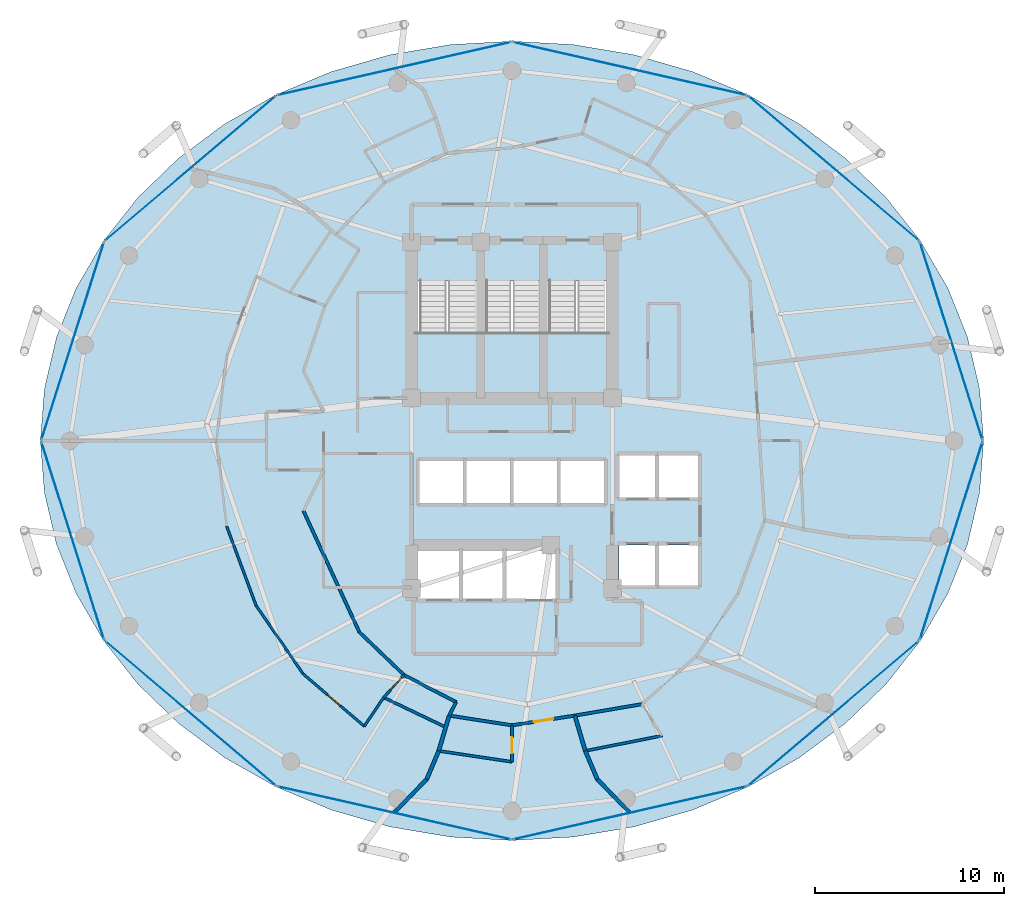
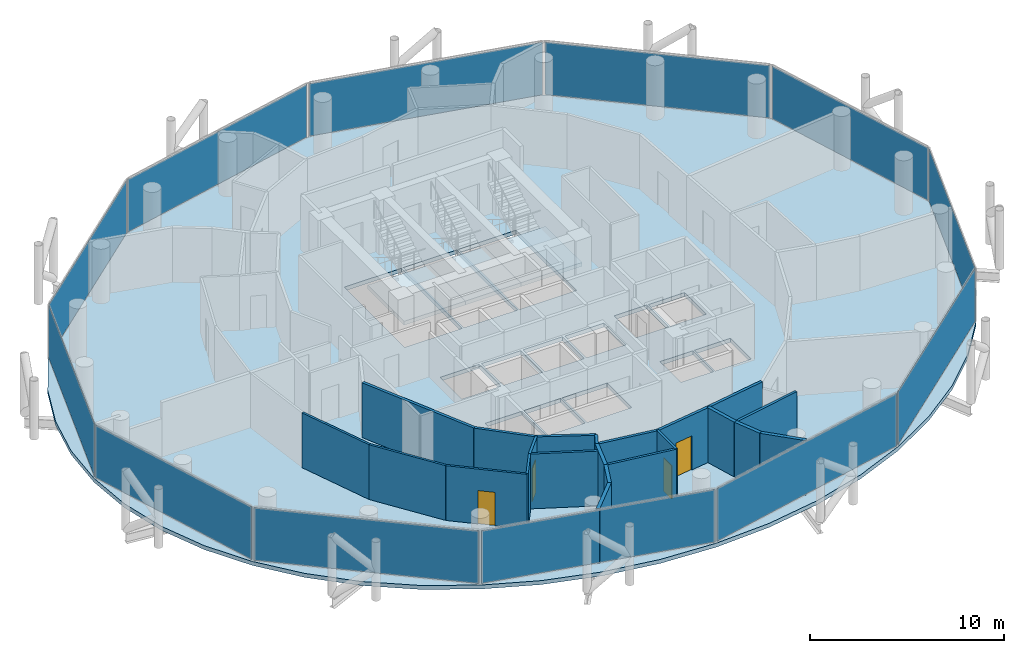
# One storey, part 21 of 26: 22 walls, 12 plates, 4 doors, 4 slabs, 4 openings, 15 elements without a shape of their own.
"""IFC4 building model written with IfcOpenShell, lengths in metres."""

from ifc_helpers import new_model, si_unit, direction, frame, frame_2d, origin, origin_2d, place, context, subcontext, project, spatial, polyline, rectangle, outline, extrude, material, layer, layer_set, type_object, element, fill, aggregate, save


model = new_model("IFC4")

# Units and contexts
model_context = context("Model", 3, precision=1e-05, world=origin(), true_north=direction((0.0, 1.0)))
body_context = subcontext(model_context, "Body", "Model", "MODEL_VIEW")
ifc_project = project(units=[si_unit("LENGTHUNIT", "METRE"), si_unit("AREAUNIT", "SQUARE_METRE"), si_unit("VOLUMEUNIT", "CUBIC_METRE"), si_unit("PLANEANGLEUNIT", "RADIAN"), si_unit("MASSUNIT", "GRAM", prefix="KILO")], contexts=[model_context])

# Site, building, storey
site_placement = place(None, origin())
site = spatial("IfcSite", under=ifc_project, at=site_placement, CompositionType="ELEMENT")
building_placement = place(site_placement, origin())
building = spatial("IfcBuilding", under=site, at=building_placement, Name="Nuhasar Tower", CompositionType="ELEMENT")
storey_placement = place(building_placement, frame((0.0, 0.0, 125.64990234375)))
storey = spatial("IfcBuildingStorey", under=building, at=storey_placement, Name="L29", CompositionType="ELEMENT", Elevation=125.64990234375)

# Curtain wall, plate
ifc_material_1 = material(Name="Aluminium 6063-T6", Category="aluminium")
ifc_layer_1 = layer(ifc_material_1, 0.199951171875)
ifc_layer_set_1 = layer_set([ifc_layer_1], Name="Aluminium 6063-T6")
curtain_wall_type = type_object("IfcCurtainWallType", Name="CW-Z2-HTL", PredefinedType="NOTDEFINED", material=ifc_layer_set_1)
curtain_wall_1_placement = place(storey_placement, origin())
curtain_wall_1 = element("IfcCurtainWall", 1, at=curtain_wall_1_placement, inside=storey, type_object=curtain_wall_type, Name="L29 Unitised Curtain Wall 01", PredefinedType="NOTDEFINED")
ifc_material_2 = material(Name="Glass Double Low-E", Category="glass")
ifc_layer_2 = layer(ifc_material_2, 0.028076171875)
ifc_layer_set_2 = layer_set([ifc_layer_2], Name="Glass Double Low-E")
plate_type = type_object("IfcPlateType", Name="CW-PANEL-GLZ", PredefinedType="CURTAIN_PANEL", material=ifc_layer_set_2)
plate_1_placement = place(storey_placement, frame((62.194580078125, 32.06494140625, 0.070068359375), z_axis=(0.0, 0.0, 1.0), x_axis=(-0.301603667577, 0.953433389233, 0.0)))
plate_1 = element("IfcPlate", 2, at=plate_1_placement, type_object=plate_type, Name="CW-Z2 panel 1.1", PredefinedType="CURTAIN_PANEL", context=body_context, shape_type="SweptSolid", body=[
    extrude(rectangle(XDim=10.904296875, YDim=0.028076171875, at=origin_2d()), origin(), (0.0, 0.0, 1.0), 3.31005859375),
])
aggregate(curtain_wall_1, [plate_1])

curtain_wall_2_placement = place(storey_placement, origin())
curtain_wall_2 = element("IfcCurtainWall", 3, at=curtain_wall_2_placement, inside=storey, type_object=curtain_wall_type, Name="L29 Unitised Curtain Wall 02", PredefinedType="NOTDEFINED")
plate_2_placement = place(storey_placement, frame((55.9794921875, 41.18408203125, 0.070068359375), z_axis=(0.0, 0.0, 1.0), x_axis=(-0.763020370292, 0.646374438324, 0.0)))
plate_2 = element("IfcPlate", 4, at=plate_2_placement, type_object=plate_type, Name="CW-Z2 panel 1.1", PredefinedType="CURTAIN_PANEL", context=body_context, shape_type="SweptSolid", body=[
    extrude(rectangle(XDim=11.784912109375, YDim=0.028076171875, at=origin_2d()), origin(), (0.0, 0.0, 1.0), 3.31005859375),
])
aggregate(curtain_wall_2, [plate_2])

curtain_wall_3_placement = place(storey_placement, origin())
curtain_wall_3 = element("IfcCurtainWall", 5, at=curtain_wall_3_placement, inside=storey, type_object=curtain_wall_type, Name="L29 Unitised Curtain Wall 03", PredefinedType="NOTDEFINED")
plate_3_placement = place(storey_placement, frame((45.215087890625, 46.448974609375, 0.070068359375), z_axis=(0.0, 0.0, 1.0), x_axis=(-0.975183694221, 0.22139729566, 0.0)))
plate_3 = element("IfcPlate", 6, at=plate_3_placement, type_object=plate_type, Name="CW-Z2 panel 1.1", PredefinedType="CURTAIN_PANEL", context=body_context, shape_type="SweptSolid", body=[
    extrude(rectangle(XDim=12.606201171875, YDim=0.028076171875, at=origin_2d()), origin(), (0.0, 0.0, 1.0), 3.31005859375),
])
aggregate(curtain_wall_3, [plate_3])

curtain_wall_4_placement = place(storey_placement, origin())
curtain_wall_4 = element("IfcCurtainWall", 7, at=curtain_wall_4_placement, inside=storey, type_object=curtain_wall_type, Name="L29 Unitised Curtain Wall 04", PredefinedType="NOTDEFINED")
plate_4_placement = place(storey_placement, frame((32.784912109375, 46.448974609375, 0.070068359375), z_axis=(0.0, 0.0, 1.0), x_axis=(-0.975183694221, -0.22139729566, 0.0)))
plate_4 = element("IfcPlate", 8, at=plate_4_placement, type_object=plate_type, Name="CW-Z2 panel 1.1", PredefinedType="CURTAIN_PANEL", context=body_context, shape_type="SweptSolid", body=[
    extrude(rectangle(XDim=12.606201171875, YDim=0.028076171875, at=origin_2d()), origin(), (0.0, 0.0, 1.0), 3.31005859375),
])
aggregate(curtain_wall_4, [plate_4])

curtain_wall_5_placement = place(storey_placement, origin())
curtain_wall_5 = element("IfcCurtainWall", 9, at=curtain_wall_5_placement, inside=storey, type_object=curtain_wall_type, Name="L29 Unitised Curtain Wall 05", PredefinedType="NOTDEFINED")
plate_5_placement = place(storey_placement, frame((22.0205078125, 41.18408203125, 0.070068359375), z_axis=(0.0, 0.0, 1.0), x_axis=(-0.763020370292, -0.646374438324, 0.0)))
plate_5 = element("IfcPlate", 10, at=plate_5_placement, type_object=plate_type, Name="CW-Z2 panel 1.1", PredefinedType="CURTAIN_PANEL", context=body_context, shape_type="SweptSolid", body=[
    extrude(rectangle(XDim=11.784912109375, YDim=0.028076171875, at=origin_2d()), origin(), (0.0, 0.0, 1.0), 3.31005859375),
])
aggregate(curtain_wall_5, [plate_5])

curtain_wall_6_placement = place(storey_placement, origin())
curtain_wall_6 = element("IfcCurtainWall", 11, at=curtain_wall_6_placement, inside=storey, type_object=curtain_wall_type, Name="L29 Unitised Curtain Wall 06", PredefinedType="NOTDEFINED")
plate_6_placement = place(storey_placement, frame((15.805419921875, 32.06494140625, 0.070068359375), z_axis=(0.0, 0.0, 1.0), x_axis=(-0.301603667577, -0.953433389233, 0.0)))
plate_6 = element("IfcPlate", 12, at=plate_6_placement, type_object=plate_type, Name="CW-Z2 panel 1.1", PredefinedType="CURTAIN_PANEL", context=body_context, shape_type="SweptSolid", body=[
    extrude(rectangle(XDim=10.904296875, YDim=0.028076171875, at=origin_2d()), origin(), (0.0, 0.0, 1.0), 3.31005859375),
])
aggregate(curtain_wall_6, [plate_6])

curtain_wall_7_placement = place(storey_placement, origin())
curtain_wall_7 = element("IfcCurtainWall", 13, at=curtain_wall_7_placement, inside=storey, type_object=curtain_wall_type, Name="L29 Unitised Curtain Wall 07", PredefinedType="NOTDEFINED")
plate_7_placement = place(storey_placement, frame((15.805419921875, 21.534912109375, 0.070068359375), z_axis=(0.0, 0.0, 1.0), x_axis=(0.301603667577, -0.953433389233, 0.0)))
plate_7 = element("IfcPlate", 14, at=plate_7_placement, type_object=plate_type, Name="CW-Z2 panel 1.1", PredefinedType="CURTAIN_PANEL", context=body_context, shape_type="SweptSolid", body=[
    extrude(rectangle(XDim=10.904296875, YDim=0.028076171875, at=origin_2d()), origin(), (0.0, 0.0, 1.0), 3.31005859375),
])
aggregate(curtain_wall_7, [plate_7])

curtain_wall_8_placement = place(storey_placement, origin())
curtain_wall_8 = element("IfcCurtainWall", 15, at=curtain_wall_8_placement, inside=storey, type_object=curtain_wall_type, Name="L29 Unitised Curtain Wall 08", PredefinedType="NOTDEFINED")
plate_8_placement = place(storey_placement, frame((22.0205078125, 12.416015625, 0.070068359375), z_axis=(0.0, 0.0, 1.0), x_axis=(0.763020370292, -0.646374438324, 0.0)))
plate_8 = element("IfcPlate", 16, at=plate_8_placement, type_object=plate_type, Name="CW-Z2 panel 1.1", PredefinedType="CURTAIN_PANEL", context=body_context, shape_type="SweptSolid", body=[
    extrude(rectangle(XDim=11.784912109375, YDim=0.028076171875, at=origin_2d()), origin(), (0.0, 0.0, 1.0), 3.31005859375),
])
aggregate(curtain_wall_8, [plate_8])

curtain_wall_9_placement = place(storey_placement, origin())
curtain_wall_9 = element("IfcCurtainWall", 17, at=curtain_wall_9_placement, inside=storey, type_object=curtain_wall_type, Name="L29 Unitised Curtain Wall 09", PredefinedType="NOTDEFINED")
plate_9_placement = place(storey_placement, frame((32.784912109375, 7.15087890625, 0.070068359375), z_axis=(0.0, 0.0, 1.0), x_axis=(0.975183694221, -0.22139729566, 0.0)))
plate_9 = element("IfcPlate", 18, at=plate_9_placement, type_object=plate_type, Name="CW-Z2 panel 1.1", PredefinedType="CURTAIN_PANEL", context=body_context, shape_type="SweptSolid", body=[
    extrude(rectangle(XDim=12.606201171875, YDim=0.028076171875, at=origin_2d()), origin(), (0.0, 0.0, 1.0), 3.31005859375),
])
aggregate(curtain_wall_9, [plate_9])

curtain_wall_10_placement = place(storey_placement, origin())
curtain_wall_10 = element("IfcCurtainWall", 19, at=curtain_wall_10_placement, inside=storey, type_object=curtain_wall_type, Name="L29 Unitised Curtain Wall 10", PredefinedType="NOTDEFINED")
plate_10_placement = place(storey_placement, frame((45.215087890625, 7.15087890625, 0.070068359375), z_axis=(0.0, 0.0, 1.0), x_axis=(0.975183694221, 0.22139729566, 0.0)))
plate_10 = element("IfcPlate", 20, at=plate_10_placement, type_object=plate_type, Name="CW-Z2 panel 1.1", PredefinedType="CURTAIN_PANEL", context=body_context, shape_type="SweptSolid", body=[
    extrude(rectangle(XDim=12.606201171875, YDim=0.028076171875, at=origin_2d()), origin(), (0.0, 0.0, 1.0), 3.31005859375),
])
aggregate(curtain_wall_10, [plate_10])

curtain_wall_11_placement = place(storey_placement, origin())
curtain_wall_11 = element("IfcCurtainWall", 21, at=curtain_wall_11_placement, inside=storey, type_object=curtain_wall_type, Name="L29 Unitised Curtain Wall 11", PredefinedType="NOTDEFINED")
plate_11_placement = place(storey_placement, frame((55.9794921875, 12.416015625, 0.070068359375), z_axis=(0.0, 0.0, 1.0), x_axis=(0.763020370292, 0.646374438324, 0.0)))
plate_11 = element("IfcPlate", 22, at=plate_11_placement, type_object=plate_type, Name="CW-Z2 panel 1.1", PredefinedType="CURTAIN_PANEL", context=body_context, shape_type="SweptSolid", body=[
    extrude(rectangle(XDim=11.784912109375, YDim=0.028076171875, at=origin_2d()), origin(), (0.0, 0.0, 1.0), 3.31005859375),
])
aggregate(curtain_wall_11, [plate_11])

curtain_wall_12_placement = place(storey_placement, origin())
curtain_wall_12 = element("IfcCurtainWall", 23, at=curtain_wall_12_placement, inside=storey, type_object=curtain_wall_type, Name="L29 Unitised Curtain Wall 12", PredefinedType="NOTDEFINED")
plate_12_placement = place(storey_placement, frame((62.194580078125, 21.534912109375, 0.070068359375), z_axis=(0.0, 0.0, 1.0), x_axis=(0.301603667577, 0.953433389233, 0.0)))
plate_12 = element("IfcPlate", 24, at=plate_12_placement, type_object=plate_type, Name="CW-Z2 panel 1.1", PredefinedType="CURTAIN_PANEL", context=body_context, shape_type="SweptSolid", body=[
    extrude(rectangle(XDim=10.904296875, YDim=0.028076171875, at=origin_2d()), origin(), (0.0, 0.0, 1.0), 3.31005859375),
])
aggregate(curtain_wall_12, [plate_12])

# Stair, slab
ifc_material_3 = material(Name="Concrete C45/55", Category="concrete")
stair_type_1 = type_object("IfcStairType", Name="STR-ST-01-2F-22R-1682", PredefinedType="HALF_TURN_STAIR", material=ifc_material_3)
stair_1_placement = place(storey_placement, origin())
stair_1 = element("IfcStair", 25, at=stair_1_placement, inside=storey, type_object=stair_type_1, Name="L29 Exit Stair ST-01", PredefinedType="HALF_TURN_STAIR")
ifc_layer_3 = layer(ifc_material_3, 0.239990234375)
ifc_layer_set_3 = layer_set([ifc_layer_3], Name="Concrete C45/55")
slab_type_1 = type_object("IfcSlabType", Name="SLB-STAIR-LND-240", PredefinedType="LANDING", material=ifc_layer_set_3)
slab_1_placement = place(storey_placement, frame((0.0, 0.0, 1.610107421875)))
slab_1 = element("IfcSlab", 26, at=slab_1_placement, type_object=slab_type_1, Name="ST-01 landing 1", PredefinedType="LANDING", context=body_context, shape_type="SweptSolid", body=[
    extrude(outline(polyline([(33.699951171875, 28.75), (37.35009765625, 28.75), (37.35009765625, 32.52001953125), (33.699951171875, 32.52001953125), (33.699951171875, 28.75)])), origin(), (0.0, 0.0, 1.0), 0.239990234375),
])
aggregate(stair_1, [slab_1])

stair_type_2 = type_object("IfcStairType", Name="STR-ST-03-2F-22R-1682", PredefinedType="HALF_TURN_STAIR", material=ifc_material_3)
stair_2_placement = place(storey_placement, origin())
stair_2 = element("IfcStair", 27, at=stair_2_placement, inside=storey, type_object=stair_type_2, Name="L29 Exit Stair ST-03", PredefinedType="HALF_TURN_STAIR")
slab_2_placement = place(storey_placement, frame((0.0, 0.0, 1.610107421875)))
slab_2 = element("IfcSlab", 28, at=slab_2_placement, type_object=slab_type_1, Name="ST-03 landing 1", PredefinedType="LANDING", context=body_context, shape_type="SweptSolid", body=[
    extrude(outline(polyline([(37.35009765625, 28.75), (40.64990234375, 28.75), (40.64990234375, 32.52001953125), (37.35009765625, 32.52001953125), (37.35009765625, 28.75)])), origin(), (0.0, 0.0, 1.0), 0.239990234375),
])
aggregate(stair_2, [slab_2])

stair_type_3 = type_object("IfcStairType", Name="STR-ST-02-2F-22R-1682", PredefinedType="HALF_TURN_STAIR", material=ifc_material_3)
stair_3_placement = place(storey_placement, origin())
stair_3 = element("IfcStair", 29, at=stair_3_placement, inside=storey, type_object=stair_type_3, Name="L29 Exit Stair ST-02", PredefinedType="HALF_TURN_STAIR")
slab_3_placement = place(storey_placement, frame((0.0, 0.0, 1.610107421875)))
slab_3 = element("IfcSlab", 30, at=slab_3_placement, type_object=slab_type_1, Name="ST-02 landing 1", PredefinedType="LANDING", context=body_context, shape_type="SweptSolid", body=[
    extrude(outline(polyline([(40.64990234375, 28.75), (44.300048828125, 28.75), (44.300048828125, 32.52001953125), (40.64990234375, 32.52001953125), (40.64990234375, 28.75)])), origin(), (0.0, 0.0, 1.0), 0.239990234375),
])
aggregate(stair_3, [slab_3])

# Slab
ifc_layer_4 = layer(ifc_material_3, 0.25)
ifc_layer_set_4 = layer_set([ifc_layer_4], Name="Concrete C45/55")
slab_type_2 = type_object("IfcSlabType", Name="SLB-Z1B-250", PredefinedType="FLOOR", material=ifc_layer_set_4)
slab_4_placement = place(storey_placement, frame((0.0, 0.0, -0.25)))
element("IfcSlab", 31, at=slab_4_placement, inside=storey, type_object=slab_type_2, Name="L29 Structural Slab", PredefinedType="FLOOR", context=body_context, shape_type="SweptSolid", body=[
    extrude(outline(polyline([(63.89990234375, 26.800048828125), (63.68701171875, 29.553955078125), (63.052001953125, 32.260986328125), (62.0048828125, 34.875), (60.56396484375, 37.35009765625), (58.75390625, 39.64501953125), (56.60693359375, 41.719970703125), (54.157958984375, 43.5400390625), (51.449951171875, 45.072998046875), (48.529052734375, 46.2939453125), (45.445068359375, 47.180908203125), (42.25, 47.718994140625), (39.0, 47.89990234375), (35.75, 47.718994140625), (32.554931640625, 47.180908203125), (29.470947265625, 46.2939453125), (26.550048828125, 45.072998046875), (23.842041015625, 43.5400390625), (21.39306640625, 41.719970703125), (19.24609375, 39.64501953125), (17.43603515625, 37.35009765625), (15.9951171875, 34.875), (14.947998046875, 32.260986328125), (14.31298828125, 29.553955078125), (14.10009765625, 26.800048828125), (14.31298828125, 24.0458984375), (14.947998046875, 21.339111328125), (15.9951171875, 18.72509765625), (17.43603515625, 16.25), (19.24609375, 13.955078125), (21.39306640625, 11.8798828125), (23.842041015625, 10.06005859375), (26.550048828125, 8.527099609375), (29.470947265625, 7.305908203125), (32.554931640625, 6.4189453125), (35.75, 5.881103515625), (39.0, 5.699951171875), (42.25, 5.881103515625), (45.445068359375, 6.4189453125), (48.529052734375, 7.305908203125), (51.449951171875, 8.527099609375), (54.157958984375, 10.06005859375), (56.60693359375, 11.8798828125), (58.75390625, 13.955078125), (60.56396484375, 16.25), (62.0048828125, 18.72509765625), (63.052001953125, 21.339111328125), (63.68701171875, 24.0458984375), (63.89990234375, 26.800048828125)]), holes=[polyline([(33.8798828125, 35.25), (37.300048828125, 35.25), (37.300048828125, 29.0), (33.8798828125, 29.0), (33.8798828125, 35.25)]), polyline([(37.39990234375, 35.25), (40.60009765625, 35.25), (40.60009765625, 29.0), (37.39990234375, 29.0), (37.39990234375, 35.25)]), polyline([(40.699951171875, 35.25), (44.1201171875, 35.25), (44.1201171875, 29.0), (40.699951171875, 29.0), (40.699951171875, 35.25)]), polyline([(44.64990234375, 26.050048828125), (46.60009765625, 26.050048828125), (46.60009765625, 23.800048828125), (44.64990234375, 23.800048828125), (44.64990234375, 26.050048828125)]), polyline([(46.699951171875, 26.050048828125), (48.85009765625, 26.050048828125), (48.85009765625, 23.800048828125), (46.699951171875, 23.800048828125), (46.699951171875, 26.050048828125)]), polyline([(44.64990234375, 21.300048828125), (46.60009765625, 21.300048828125), (46.60009765625, 19.14990234375), (44.64990234375, 19.14990234375), (44.64990234375, 21.300048828125)]), polyline([(46.699951171875, 21.300048828125), (48.85009765625, 21.300048828125), (48.85009765625, 19.14990234375), (46.699951171875, 19.14990234375), (46.699951171875, 21.300048828125)]), polyline([(34.10009765625, 25.75), (36.43994140625, 25.75), (36.43994140625, 23.5), (34.10009765625, 23.5), (34.10009765625, 25.75)]), polyline([(36.580078125, 25.75), (38.919921875, 25.75), (38.919921875, 23.5), (36.580078125, 23.5), (36.580078125, 25.75)]), polyline([(39.06005859375, 25.75), (41.39990234375, 25.75), (41.39990234375, 23.5), (39.06005859375, 23.5), (39.06005859375, 25.75)]), polyline([(41.5400390625, 25.75), (43.8798828125, 25.75), (43.8798828125, 23.5), (41.5400390625, 23.5), (41.5400390625, 25.75)]), polyline([(34.050048828125, 21.0), (36.25, 21.0), (36.25, 18.449951171875), (34.050048828125, 18.449951171875), (34.050048828125, 21.0)]), polyline([(36.35009765625, 21.0), (38.550048828125, 21.0), (38.550048828125, 18.449951171875), (36.35009765625, 18.449951171875), (36.35009765625, 21.0)]), polyline([(38.64990234375, 21.0), (41.320068359375, 21.0), (41.320068359375, 18.449951171875), (38.64990234375, 18.449951171875), (38.64990234375, 21.0)])]), origin(), (0.0, 0.0, 1.0), 0.25),
])

# Wall
ifc_material_4 = material(Name="Gypsum Board", Category="gypsum")
ifc_layer_5 = layer(ifc_material_4, 0.159912109375)
ifc_layer_set_5 = layer_set([ifc_layer_5], Name="Gypsum Board")
wall_type_1 = type_object("IfcWallType", Name="WL-CORR-160", PredefinedType="PARTITIONING", material=ifc_layer_set_5)
wall_1_placement = place(storey_placement, frame((35.681884765625, 12.2919921875, 0.0), z_axis=(0.0, 0.0, 1.0), x_axis=(0.988305190754, -0.152488851815, 0.0)))
element("IfcWall", 32, at=wall_1_placement, inside=storey, type_object=wall_type_1, Name="L29 Interior Partition CORR-34", PredefinedType="PARTITIONING", context=body_context, shape_type="SweptSolid", body=[
    extrude(rectangle(XDim=3.357421875, YDim=0.159912109375, at=frame_2d((1.6787109375, 0.0))), origin(), (0.0, 0.0, 1.0), 3.4501953125),
])

# Wall, opening, door
wall_2_placement = place(storey_placement, frame((42.318115234375, 12.2919921875, 0.0), z_axis=(0.0, 0.0, 1.0), x_axis=(-0.988305190754, -0.152488851815, 0.0)))
wall_2 = element("IfcWall", 33, at=wall_2_placement, inside=storey, type_object=wall_type_1, Name="L29 Interior Partition CORR-36", PredefinedType="PARTITIONING", context=body_context, shape_type="SweptSolid", body=[
    extrude(rectangle(XDim=3.357421875, YDim=0.159912109375, at=frame_2d((1.6787109375, 0.0))), origin(), (0.0, 0.0, 1.0), 3.4501953125),
])
opening_1_placement = place(wall_2_placement, frame((1.154052734375, 0.0, 0.0)))
opening_1 = element("IfcOpeningElement", 34, at=opening_1_placement, cuts=wall_2, Name="Opening DU-01", PredefinedType="OPENING", context=body_context, shape_type="SweptSolid", body=[
    extrude(rectangle(XDim=1.050048828125, YDim=2.14990234375, at=frame_2d((0.52490234375, 1.074951171875))), frame((0.0, 0.08984375, 0.0), z_axis=(0.0, -1.0, 0.0), x_axis=(1.0, 0.0, 0.0)), (0.0, 0.0, 1.0), 0.179931640625),
])
ifc_material_5 = material(Name="Timber Oak", Category="wood")
door_type_1 = type_object("IfcDoorType", Name="DR-SUITE-FD60-1050", OperationType="NOTDEFINED", PredefinedType="DOOR", material=ifc_material_5)
door_1_placement = place(opening_1_placement, origin())
door_1 = element("IfcDoor", 35, at=door_1_placement, inside=storey, type_object=door_type_1, Name="L29 Deluxe Junior Suite 01 Entrance Door", OperationType="SINGLE_SWING_LEFT", OverallHeight=2.14990234375, OverallWidth=1.050048828125, PredefinedType="DOOR", context=body_context, shape_type="SweptSolid", body=[
    extrude(rectangle(XDim=1.050048828125, YDim=2.14990234375, at=frame_2d((0.52490234375, 1.074951171875))), frame((0.0, 0.02490234375, 0.0), z_axis=(0.0, -1.0, 0.0), x_axis=(1.0, 0.0, 0.0)), (0.0, 0.0, 1.0), 0.050048828125),
])
fill(opening_1, door_1)

# Walls
wall_3_placement = place(storey_placement, frame((42.318115234375, 12.2919921875, 0.0), z_axis=(0.0, 0.0, 1.0), x_axis=(0.985751576779, 0.168207695658, 0.0)))
element("IfcWall", 36, at=wall_3_placement, inside=storey, type_object=wall_type_1, Name="L29 Interior Partition CORR-38", PredefinedType="PARTITIONING", context=body_context, shape_type="SweptSolid", body=[
    extrude(rectangle(XDim=3.5849609375, YDim=0.159912109375, at=frame_2d((1.79248046875, 0.0))), origin(), (0.0, 0.0, 1.0), 3.4501953125),
])
wall_4_placement = place(storey_placement, frame((36.049072265625, 13.007080078125, 0.0), z_axis=(0.0, 0.0, 1.0), x_axis=(-0.456785198059, -0.889577024678, 0.0)))
element("IfcWall", 37, at=wall_4_placement, inside=storey, type_object=wall_type_1, Name="L29 Interior Partition HRAD-34-IN", PredefinedType="PARTITIONING", context=body_context, shape_type="SweptSolid", body=[
    extrude(rectangle(XDim=0.803955078125, YDim=0.159912109375, at=frame_2d((0.40185546875, 0.0))), origin(), (0.0, 0.0, 1.0), 3.4501953125),
])
wall_5_placement = place(storey_placement, frame((27.988037109375, 23.10400390625, 0.0), z_axis=(0.0, 0.0, 1.0), x_axis=(0.418656179426, -0.908144814128, 0.0)))
element("IfcWall", 38, at=wall_5_placement, inside=storey, type_object=wall_type_1, Name="L29 Interior Partition HWEST-CORE-S1-26", PredefinedType="PARTITIONING", context=body_context, shape_type="SweptSolid", body=[
    extrude(rectangle(XDim=7.048583984375, YDim=0.159912109375, at=frame_2d((3.5244140625, 0.0))), origin(), (0.0, 0.0, 1.0), 3.4501953125),
])
wall_6_placement = place(storey_placement, frame((30.93896484375, 16.702880859375, 0.0), z_axis=(0.0, 0.0, 1.0), x_axis=(0.72090897908, -0.693029756851, 0.0)))
element("IfcWall", 39, at=wall_6_placement, inside=storey, type_object=wall_type_1, Name="L29 Interior Partition HWEST-CORE-S2-30", PredefinedType="PARTITIONING", context=body_context, shape_type="SweptSolid", body=[
    extrude(rectangle(XDim=3.275146484375, YDim=0.159912109375, at=frame_2d((1.6376953125, 0.0))), origin(), (0.0, 0.0, 1.0), 3.4501953125),
])
wall_7_placement = place(storey_placement, frame((33.300048828125, 14.43310546875, 0.0), z_axis=(0.0, 0.0, 1.0), x_axis=(0.887674575788, -0.460471331898, 0.0)))
element("IfcWall", 40, at=wall_7_placement, inside=storey, type_object=wall_type_1, Name="L29 Interior Partition HWEST-CORE-S2-32", PredefinedType="PARTITIONING", context=body_context, shape_type="SweptSolid", body=[
    extrude(rectangle(XDim=3.096923828125, YDim=0.159912109375, at=frame_2d((1.54833984375, 0.0))), origin(), (0.0, 0.0, 1.0), 3.4501953125),
])
ifc_layer_6 = layer(ifc_material_4, 0.125)
ifc_layer_set_6 = layer_set([ifc_layer_6], Name="Gypsum Board")
wall_type_2 = type_object("IfcWallType", Name="WL-PART-125", PredefinedType="PARTITIONING", material=ifc_layer_set_6)
wall_8_placement = place(storey_placement, frame((32.22509765625, 13.2470703125, 0.0), z_axis=(0.0, 0.0, 1.0), x_axis=(-0.560137086464, -0.828399930207, 0.0)))
element("IfcWall", 41, at=wall_8_placement, inside=storey, type_object=wall_type_2, Name="L29 Interior Partition HWS2-N", PredefinedType="PARTITIONING", context=body_context, shape_type="SweptSolid", body=[
    extrude(rectangle(XDim=1.830078125, YDim=0.125, at=frame_2d((0.9150390625, 0.0))), origin(), (0.0, 0.0, 1.0), 3.4501953125),
])
wall_9_placement = place(storey_placement, frame((23.931884765625, 22.297119140625, 0.0), z_axis=(0.0, 0.0, 1.0), x_axis=(0.348031805078, -0.93748272659, 0.0)))
element("IfcWall", 42, at=wall_9_placement, inside=storey, type_object=wall_type_2, Name="L29 Interior Partition HWS2-ARC-26", PredefinedType="PARTITIONING", context=body_context, shape_type="SweptSolid", body=[
    extrude(rectangle(XDim=4.476806640625, YDim=0.125, at=frame_2d((2.23828125, 0.0))), origin(), (0.0, 0.0, 1.0), 3.4501953125),
])
wall_10_placement = place(storey_placement, frame((25.489990234375, 18.10009765625, 0.0), z_axis=(0.0, 0.0, 1.0), x_axis=(0.566723041571, -0.823908365143, 0.0)))
element("IfcWall", 43, at=wall_10_placement, inside=storey, type_object=wall_type_2, Name="L29 Interior Partition HWS2-ARC-28", PredefinedType="PARTITIONING", context=body_context, shape_type="SweptSolid", body=[
    extrude(rectangle(XDim=4.374267578125, YDim=0.125, at=frame_2d((2.18701171875, 0.0))), origin(), (0.0, 0.0, 1.0), 3.4501953125),
])

# Wall, opening, door
wall_11_placement = place(storey_placement, frame((27.968994140625, 14.49609375, 0.0), z_axis=(0.0, 0.0, 1.0), x_axis=(0.759750776123, -0.650214394013, 0.0)))
wall_11 = element("IfcWall", 44, at=wall_11_placement, inside=storey, type_object=wall_type_2, Name="L29 Interior Partition HWS2-ARC-30", PredefinedType="PARTITIONING", context=body_context, shape_type="SweptSolid", body=[
    extrude(rectangle(XDim=4.252685546875, YDim=0.125, at=frame_2d((2.12646484375, 0.0))), origin(), (0.0, 0.0, 1.0), 3.4501953125),
])
opening_2_placement = place(wall_11_placement, frame((1.676025390625, 0.0, 0.0)))
opening_2 = element("IfcOpeningElement", 45, at=opening_2_placement, cuts=wall_11, Name="Opening DR-01", PredefinedType="OPENING", context=body_context, shape_type="SweptSolid", body=[
    extrude(rectangle(XDim=0.89990234375, YDim=2.10009765625, at=frame_2d((0.449951171875, 1.050048828125))), frame((0.0, 0.072509765625, 0.0), z_axis=(0.0, -1.0, 0.0), x_axis=(1.0, 0.0, 0.0)), (0.0, 0.0, 1.0), 0.14501953125),
])
door_type_2 = type_object("IfcDoorType", Name="DR-ROOM-900", OperationType="NOTDEFINED", PredefinedType="DOOR", material=ifc_material_5)
door_2_placement = place(opening_2_placement, origin())
door_2 = element("IfcDoor", 46, at=door_2_placement, inside=storey, type_object=door_type_2, Name="L29 South-West Presidential Suite Bedroom Door", OperationType="SINGLE_SWING_LEFT", OverallHeight=2.10009765625, OverallWidth=0.89990234375, PredefinedType="DOOR", context=body_context, shape_type="SweptSolid", body=[
    extrude(rectangle(XDim=0.89990234375, YDim=2.10009765625, at=frame_2d((0.449951171875, 1.050048828125))), frame((0.0, 0.02490234375, 0.0), z_axis=(0.0, -1.0, 0.0), x_axis=(1.0, 0.0, 0.0)), (0.0, 0.0, 1.0), 0.050048828125),
])
fill(opening_2, door_2)

# Walls
ifc_material_6 = material(Name="Concrete C40/50 precast", Category="concrete")
ifc_layer_7 = layer(ifc_material_6, 0.199951171875)
ifc_layer_set_7 = layer_set([ifc_layer_7], Name="Concrete C40/50 precast")
wall_type_3 = type_object("IfcWallType", Name="WL-UNIT-200", PredefinedType="PARTITIONING", material=ifc_layer_set_7)
wall_12_placement = place(storey_placement, frame((35.681884765625, 12.2919921875, 0.0), z_axis=(0.0, 0.0, 1.0), x_axis=(-0.283369770593, -0.959010726277, 0.0)))
element("IfcWall", 47, at=wall_12_placement, inside=storey, type_object=wall_type_3, Name="L29 Interior Partition HRAD-34-OUT-S1", PredefinedType="PARTITIONING", context=body_context, shape_type="SweptSolid", body=[
    extrude(rectangle(XDim=1.943603515625, YDim=0.199951171875, at=frame_2d((0.9716796875, 0.0))), origin(), (0.0, 0.0, 1.0), 3.4501953125),
])
wall_13_placement = place(storey_placement, frame((35.131103515625, 10.427978515625, 0.0), z_axis=(0.0, 0.0, 1.0), x_axis=(-0.389767285182, -0.920913385396, 0.0)))
element("IfcWall", 48, at=wall_13_placement, inside=storey, type_object=wall_type_3, Name="L29 Interior Partition HRAD-34-OUT-S2", PredefinedType="PARTITIONING", context=body_context, shape_type="SweptSolid", body=[
    extrude(rectangle(XDim=1.626708984375, YDim=0.199951171875, at=frame_2d((0.8134765625, 0.0))), origin(), (0.0, 0.0, 1.0), 3.4501953125),
])
wall_14_placement = place(storey_placement, frame((34.4970703125, 8.929931640625, 0.0), z_axis=(0.0, 0.0, 1.0), x_axis=(-0.698293830776, -0.715811236221, 0.0)))
element("IfcWall", 49, at=wall_14_placement, inside=storey, type_object=wall_type_3, Name="L29 Interior Partition HRAD-34-OUT-S3", PredefinedType="PARTITIONING", context=body_context, shape_type="SweptSolid", body=[
    extrude(rectangle(XDim=2.43896484375, YDim=0.199951171875, at=frame_2d((1.219482421875, 0.0))), origin(), (0.0, 0.0, 1.0), 3.4501953125),
])
wall_15_placement = place(storey_placement, frame((42.318115234375, 12.2919921875, 0.0), z_axis=(0.0, 0.0, 1.0), x_axis=(0.283369770593, -0.959010726277, 0.0)))
element("IfcWall", 50, at=wall_15_placement, inside=storey, type_object=wall_type_3, Name="L29 Interior Partition HRAD-38-S1", PredefinedType="PARTITIONING", context=body_context, shape_type="SweptSolid", body=[
    extrude(rectangle(XDim=1.943603515625, YDim=0.199951171875, at=frame_2d((0.9716796875, 0.0))), origin(), (0.0, 0.0, 1.0), 3.4501953125),
])
wall_16_placement = place(storey_placement, frame((42.868896484375, 10.427978515625, 0.0), z_axis=(0.0, 0.0, 1.0), x_axis=(0.389767285182, -0.920913385396, 0.0)))
element("IfcWall", 51, at=wall_16_placement, inside=storey, type_object=wall_type_3, Name="L29 Interior Partition HRAD-38-S2", PredefinedType="PARTITIONING", context=body_context, shape_type="SweptSolid", body=[
    extrude(rectangle(XDim=1.626708984375, YDim=0.199951171875, at=frame_2d((0.8134765625, 0.0))), origin(), (0.0, 0.0, 1.0), 3.4501953125),
])
wall_17_placement = place(storey_placement, frame((43.5029296875, 8.929931640625, 0.0), z_axis=(0.0, 0.0, 1.0), x_axis=(0.698293830776, -0.715811236221, 0.0)))
element("IfcWall", 52, at=wall_17_placement, inside=storey, type_object=wall_type_3, Name="L29 Interior Partition HRAD-38-S3", PredefinedType="PARTITIONING", context=body_context, shape_type="SweptSolid", body=[
    extrude(rectangle(XDim=2.43896484375, YDim=0.199951171875, at=frame_2d((1.219482421875, 0.0))), origin(), (0.0, 0.0, 1.0), 3.4501953125),
])

# Wall, opening, door
ifc_layer_8 = layer(ifc_material_6, 0.139892578125)
ifc_layer_set_8 = layer_set([ifc_layer_8], Name="Concrete C40/50 precast")
wall_type_4 = type_object("IfcWallType", Name="WL-WET-140", PredefinedType="PARTITIONING", material=ifc_layer_set_8)
wall_18_placement = place(storey_placement, frame((39.0, 11.780029296875, 0.0), z_axis=(0.0, 0.0, 1.0), x_axis=(0.0, -1.0, 0.0)))
wall_18 = element("IfcWall", 53, at=wall_18_placement, inside=storey, type_object=wall_type_4, Name="L29 Interior Partition HBW-01", PredefinedType="PARTITIONING", context=body_context, shape_type="SweptSolid", body=[
    extrude(rectangle(XDim=1.929931640625, YDim=0.139892578125, at=frame_2d((0.96484375, 0.0))), origin(), (0.0, 0.0, 1.0), 3.4501953125),
])
opening_3_placement = place(wall_18_placement, frame((0.635986328125, 0.0, 0.0)))
opening_3 = element("IfcOpeningElement", 54, at=opening_3_placement, cuts=wall_18, Name="Opening DB-01", PredefinedType="OPENING", context=body_context, shape_type="SweptSolid", body=[
    extrude(rectangle(XDim=0.85009765625, YDim=2.10009765625, at=frame_2d((0.425048828125, 1.050048828125))), frame((0.0, 0.080078125, 0.0), z_axis=(0.0, -1.0, 0.0), x_axis=(1.0, 0.0, 0.0)), (0.0, 0.0, 1.0), 0.159912109375),
])
door_type_3 = type_object("IfcDoorType", Name="DR-BATH-850", OperationType="NOTDEFINED", PredefinedType="DOOR", material=ifc_material_5)
door_3_placement = place(opening_3_placement, origin())
door_3 = element("IfcDoor", 55, at=door_3_placement, inside=storey, type_object=door_type_3, Name="L29 Deluxe Junior Suite 01 En-Suite Door", OperationType="SINGLE_SWING_RIGHT", OverallHeight=2.10009765625, OverallWidth=0.85009765625, PredefinedType="DOOR", context=body_context, shape_type="SweptSolid", body=[
    extrude(rectangle(XDim=0.85009765625, YDim=2.10009765625, at=frame_2d((0.425048828125, 1.050048828125))), frame((0.0, 0.02490234375, 0.0), z_axis=(0.0, -1.0, 0.0), x_axis=(1.0, 0.0, 0.0)), (0.0, 0.0, 1.0), 0.050048828125),
])
fill(opening_3, door_3)

# Walls
wall_19_placement = place(storey_placement, frame((35.131103515625, 10.427978515625, 0.0), z_axis=(0.0, 0.0, 1.0), x_axis=(0.989028176976, -0.147726995324, 0.0)))
element("IfcWall", 56, at=wall_19_placement, inside=storey, type_object=wall_type_4, Name="L29 Interior Partition HBF-01-34", PredefinedType="PARTITIONING", context=body_context, shape_type="SweptSolid", body=[
    extrude(rectangle(XDim=3.911865234375, YDim=0.139892578125, at=frame_2d((1.9560546875, 0.0))), origin(), (0.0, 0.0, 1.0), 3.4501953125),
])
wall_20_placement = place(storey_placement, frame((42.868896484375, 10.427978515625, 0.0), z_axis=(0.0, 0.0, 1.0), x_axis=(0.9810430499, 0.193789922966, 0.0)))
element("IfcWall", 57, at=wall_20_placement, inside=storey, type_object=wall_type_4, Name="L29 Interior Partition HBF-02-38", PredefinedType="PARTITIONING", context=body_context, shape_type="SweptSolid", body=[
    extrude(rectangle(XDim=4.138427734375, YDim=0.139892578125, at=frame_2d((2.0693359375, 0.0))), origin(), (0.0, 0.0, 1.0), 3.4501953125),
])

# Wall, opening, door
wall_21_placement = place(storey_placement, frame((33.300048828125, 14.43310546875, 0.0), z_axis=(0.0, 0.0, 1.0), x_axis=(-0.671556062003, -0.740953747266, 0.0)))
wall_21 = element("IfcWall", 58, at=wall_21_placement, inside=storey, type_object=wall_type_4, Name="L29 Interior Partition HBW2-N", PredefinedType="PARTITIONING", context=body_context, shape_type="SweptSolid", body=[
    extrude(rectangle(XDim=1.6005859375, YDim=0.139892578125, at=frame_2d((0.80029296875, 0.0))), origin(), (0.0, 0.0, 1.0), 3.4501953125),
])
opening_4_placement = place(wall_21_placement, frame((0.199951171875, 0.0, 0.0)))
opening_4 = element("IfcOpeningElement", 59, at=opening_4_placement, cuts=wall_21, Name="Opening DB-01", PredefinedType="OPENING", context=body_context, shape_type="SweptSolid", body=[
    extrude(rectangle(XDim=0.85009765625, YDim=2.10009765625, at=frame_2d((0.425048828125, 1.050048828125))), frame((0.0, 0.080078125, 0.0), z_axis=(0.0, -1.0, 0.0), x_axis=(1.0, 0.0, 0.0)), (0.0, 0.0, 1.0), 0.159912109375),
])
door_4_placement = place(opening_4_placement, origin())
door_4 = element("IfcDoor", 60, at=door_4_placement, inside=storey, type_object=door_type_3, Name="L29 South-West Presidential Suite En-Suite Door", OperationType="SINGLE_SWING_LEFT", OverallHeight=2.10009765625, OverallWidth=0.85009765625, PredefinedType="DOOR", context=body_context, shape_type="SweptSolid", body=[
    extrude(rectangle(XDim=0.85009765625, YDim=2.10009765625, at=frame_2d((0.425048828125, 1.050048828125))), frame((0.0, 0.02490234375, 0.0), z_axis=(0.0, -1.0, 0.0), x_axis=(1.0, 0.0, 0.0)), (0.0, 0.0, 1.0), 0.050048828125),
])
fill(opening_4, door_4)

# Wall
wall_22_placement = place(storey_placement, frame((32.22509765625, 13.2470703125, 0.0), z_axis=(0.0, 0.0, 1.0), x_axis=(0.902016722043, -0.431701092372, 0.0)))
element("IfcWall", 61, at=wall_22_placement, inside=storey, type_object=wall_type_4, Name="L29 Interior Partition HBW2-E", PredefinedType="PARTITIONING", context=body_context, shape_type="SweptSolid", body=[
    extrude(rectangle(XDim=3.622802734375, YDim=0.139892578125, at=frame_2d((1.8115234375, 0.0))), origin(), (0.0, 0.0, 1.0), 3.4501953125),
])

save(model, "model.ifc")
